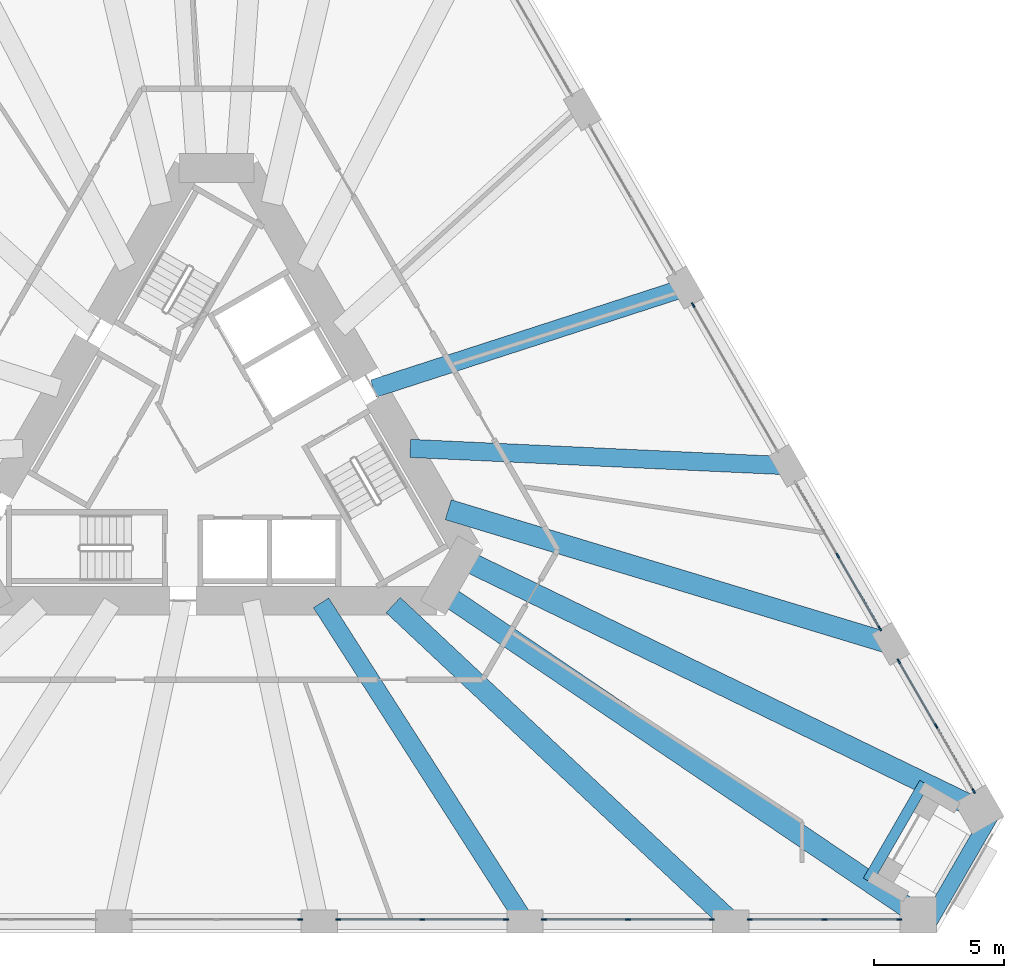
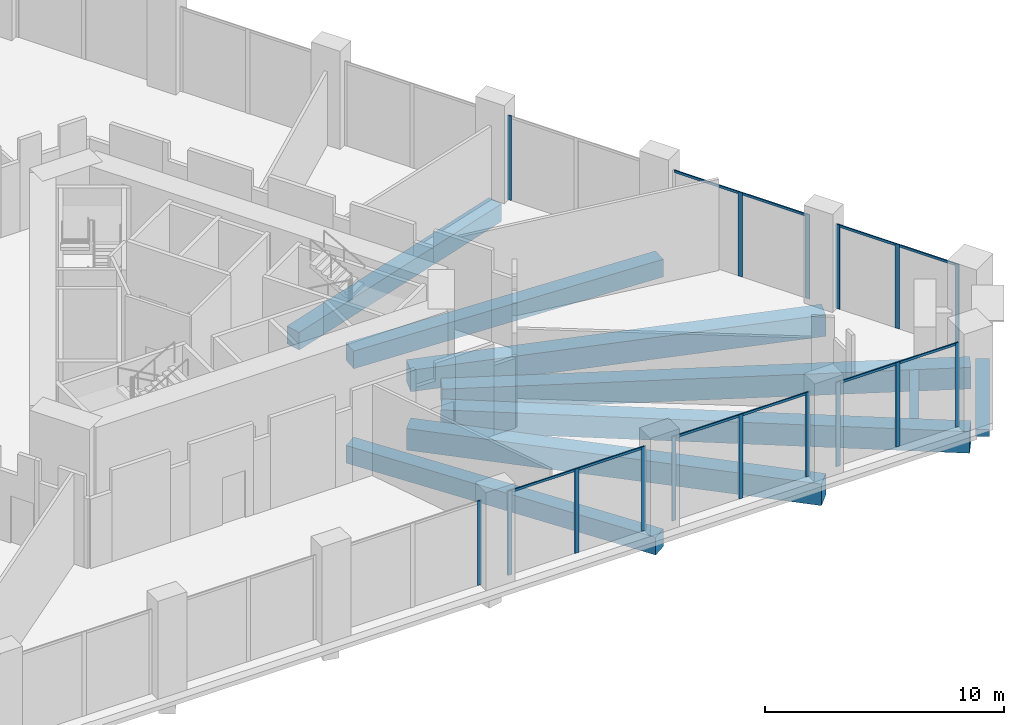
# One storey, part 7 of 20: 26 members, 9 beams, 7 elements without a shape of their own.
"""IFC4 building model written with IfcOpenShell, lengths in metres."""

from ifc_helpers import new_model, si_unit, direction, frame, origin, origin_2d, place, context, subcontext, project, spatial, rectangle, extrude, material, layer, layer_set, material_profile, profile_set, type_object, element, aggregate, save


model = new_model("IFC4")

# Units and contexts
model_context = context("Model", 3, precision=1e-05, world=origin(), true_north=direction((0.0, 1.0)))
body_context = subcontext(model_context, "Body", "Model", "MODEL_VIEW")
ifc_project = project(units=[si_unit("LENGTHUNIT", "METRE"), si_unit("AREAUNIT", "SQUARE_METRE"), si_unit("VOLUMEUNIT", "CUBIC_METRE"), si_unit("PLANEANGLEUNIT", "RADIAN"), si_unit("MASSUNIT", "GRAM", prefix="KILO")], contexts=[model_context])

# Site, building, storey
site_placement = place(None, origin())
site = spatial("IfcSite", under=ifc_project, at=site_placement, CompositionType="ELEMENT")
building_placement = place(site_placement, origin())
building = spatial("IfcBuilding", under=site, at=building_placement, Name="Tramontana Tower", CompositionType="ELEMENT")
storey_placement = place(building_placement, frame((0.0, 0.0, 10.0)))
storey = spatial("IfcBuildingStorey", under=building, at=storey_placement, Name="L01", CompositionType="ELEMENT", Elevation=10.0)

# Curtain wall, member
ifc_material_1 = material(Name="Aluminum extrusion", Category="aluminium")
ifc_layer = layer(ifc_material_1, 0.14990234375)
ifc_layer_set = layer_set([ifc_layer], Name="CW2 Podium amenity curtain wall")
curtain_wall_type = type_object("IfcCurtainWallType", Name="CW2 Podium amenity curtain wall", PredefinedType="NOTDEFINED", material=ifc_layer_set)
curtain_wall_1_placement = place(storey_placement, origin())
curtain_wall_1 = element("IfcCurtainWall", 1, at=curtain_wall_1_placement, inside=storey, type_object=curtain_wall_type, Name="CW2 curtain wall L01 face 1 bay 4", PredefinedType="NOTDEFINED")
ifc_material_2 = material(Name="Aluminum extrusion", Category="aluminium")
ifc_material_profile_1 = material_profile(ifc_material_2, rectangle(XDim=0.06005859375, YDim=0.199951171875, at=origin_2d()), Name="CW2-M Mullion 60 x 200")
ifc_profile_set_1 = profile_set([ifc_material_profile_1], Name="Aluminum extrusion")
member_type_1 = type_object("IfcMemberType", Name="CW2-M Mullion 60 x 200", PredefinedType="MULLION", material=ifc_profile_set_1)
member_1_placement = place(storey_placement, frame((3.22900390625, -18.47509765625, 0.0), z_axis=(0.0, 0.0, 1.0), x_axis=(0.0, 1.0, 0.0)))
member_1 = element("IfcMember", 2, at=member_1_placement, type_object=member_type_1, Name="CW2 curtain wall L01 face 1 bay 4 mullion 3", PredefinedType="MULLION", context=body_context, shape_type="SweptSolid", body=[
    extrude(rectangle(XDim=0.06005859375, YDim=0.199951171875, at=origin_2d()), origin(), (0.0, 0.0, 1.0), 4.300048828125),
])
aggregate(curtain_wall_1, [member_1])

# Curtain wall, members
curtain_wall_2_placement = place(storey_placement, origin())
curtain_wall_2 = element("IfcCurtainWall", 3, at=curtain_wall_2_placement, inside=storey, type_object=curtain_wall_type, Name="CW2 curtain wall L01 face 1 bay 5", PredefinedType="NOTDEFINED")
member_2_placement = place(storey_placement, frame((4.68896484375, -18.47509765625, 0.0), z_axis=(0.0, 0.0, 1.0), x_axis=(0.0, 1.0, 0.0)))
member_2 = element("IfcMember", 4, at=member_2_placement, type_object=member_type_1, Name="CW2 curtain wall L01 face 1 bay 5 mullion 1", PredefinedType="MULLION", context=body_context, shape_type="SweptSolid", body=[
    extrude(rectangle(XDim=0.06005859375, YDim=0.199951171875, at=origin_2d()), origin(), (0.0, 0.0, 1.0), 4.300048828125),
])
member_3_placement = place(storey_placement, frame((7.91796875, -18.47509765625, 0.0), z_axis=(0.0, 0.0, 1.0), x_axis=(0.0, 1.0, 0.0)))
member_3 = element("IfcMember", 5, at=member_3_placement, type_object=member_type_1, Name="CW2 curtain wall L01 face 1 bay 5 mullion 2", PredefinedType="MULLION", context=body_context, shape_type="SweptSolid", body=[
    extrude(rectangle(XDim=0.06005859375, YDim=0.199951171875, at=origin_2d()), origin(), (0.0, 0.0, 1.0), 4.300048828125),
])
member_4_placement = place(storey_placement, frame((11.14697265625, -18.47509765625, 0.0), z_axis=(0.0, 0.0, 1.0), x_axis=(0.0, 1.0, 0.0)))
member_4 = element("IfcMember", 6, at=member_4_placement, type_object=member_type_1, Name="CW2 curtain wall L01 face 1 bay 5 mullion 3", PredefinedType="MULLION", context=body_context, shape_type="SweptSolid", body=[
    extrude(rectangle(XDim=0.06005859375, YDim=0.199951171875, at=origin_2d()), origin(), (0.0, 0.0, 1.0), 4.300048828125),
])

curtain_wall_3_placement = place(storey_placement, origin())
curtain_wall_3 = element("IfcCurtainWall", 7, at=curtain_wall_3_placement, inside=storey, type_object=curtain_wall_type, Name="CW2 curtain wall L01 face 1 bay 6", PredefinedType="NOTDEFINED")
member_5_placement = place(storey_placement, frame((12.60693359375, -18.47509765625, 0.0), z_axis=(0.0, 0.0, 1.0), x_axis=(0.0, 1.0, 0.0)))
member_5 = element("IfcMember", 8, at=member_5_placement, type_object=member_type_1, Name="CW2 curtain wall L01 face 1 bay 6 mullion 1", PredefinedType="MULLION", context=body_context, shape_type="SweptSolid", body=[
    extrude(rectangle(XDim=0.06005859375, YDim=0.199951171875, at=origin_2d()), origin(), (0.0, 0.0, 1.0), 4.300048828125),
])
member_6_placement = place(storey_placement, frame((15.8359375, -18.47509765625, 0.0), z_axis=(0.0, 0.0, 1.0), x_axis=(0.0, 1.0, 0.0)))
member_6 = element("IfcMember", 9, at=member_6_placement, type_object=member_type_1, Name="CW2 curtain wall L01 face 1 bay 6 mullion 2", PredefinedType="MULLION", context=body_context, shape_type="SweptSolid", body=[
    extrude(rectangle(XDim=0.06005859375, YDim=0.199951171875, at=origin_2d()), origin(), (0.0, 0.0, 1.0), 4.300048828125),
])
member_7_placement = place(storey_placement, frame((19.06494140625, -18.47509765625, 0.0), z_axis=(0.0, 0.0, 1.0), x_axis=(0.0, 1.0, 0.0)))
member_7 = element("IfcMember", 10, at=member_7_placement, type_object=member_type_1, Name="CW2 curtain wall L01 face 1 bay 6 mullion 3", PredefinedType="MULLION", context=body_context, shape_type="SweptSolid", body=[
    extrude(rectangle(XDim=0.06005859375, YDim=0.199951171875, at=origin_2d()), origin(), (0.0, 0.0, 1.0), 4.300048828125),
])

curtain_wall_4_placement = place(storey_placement, origin())
curtain_wall_4 = element("IfcCurtainWall", 11, at=curtain_wall_4_placement, inside=storey, type_object=curtain_wall_type, Name="CW2 curtain wall L01 face 1 bay 7", PredefinedType="NOTDEFINED")
member_8_placement = place(storey_placement, frame((20.52490234375, -18.47509765625, 0.0), z_axis=(0.0, 0.0, 1.0), x_axis=(0.0, 1.0, 0.0)))
member_8 = element("IfcMember", 12, at=member_8_placement, type_object=member_type_1, Name="CW2 curtain wall L01 face 1 bay 7 mullion 1", PredefinedType="MULLION", context=body_context, shape_type="SweptSolid", body=[
    extrude(rectangle(XDim=0.06005859375, YDim=0.199951171875, at=origin_2d()), origin(), (0.0, 0.0, 1.0), 4.300048828125),
])
member_9_placement = place(storey_placement, frame((23.40380859375, -18.47509765625, 0.0), z_axis=(0.0, 0.0, 1.0), x_axis=(0.0, 1.0, 0.0)))
member_9 = element("IfcMember", 13, at=member_9_placement, type_object=member_type_1, Name="CW2 curtain wall L01 face 1 bay 7 mullion 2", PredefinedType="MULLION", context=body_context, shape_type="SweptSolid", body=[
    extrude(rectangle(XDim=0.06005859375, YDim=0.199951171875, at=origin_2d()), origin(), (0.0, 0.0, 1.0), 4.300048828125),
])
member_10_placement = place(storey_placement, frame((26.28271484375, -18.47509765625, 0.0), z_axis=(0.0, 0.0, 1.0), x_axis=(0.0, 1.0, 0.0)))
member_10 = element("IfcMember", 14, at=member_10_placement, type_object=member_type_1, Name="CW2 curtain wall L01 face 1 bay 7 mullion 3", PredefinedType="MULLION", context=body_context, shape_type="SweptSolid", body=[
    extrude(rectangle(XDim=0.06005859375, YDim=0.199951171875, at=origin_2d()), origin(), (0.0, 0.0, 1.0), 4.300048828125),
])

curtain_wall_5_placement = place(storey_placement, origin())
curtain_wall_5 = element("IfcCurtainWall", 15, at=curtain_wall_5_placement, inside=storey, type_object=curtain_wall_type, Name="CW2 curtain wall L01 face 2 bay 1", PredefinedType="NOTDEFINED")
member_11_placement = place(storey_placement, frame((29.14111328125, -13.524169921875, 0.0), z_axis=(0.0, 0.0, 1.0), x_axis=(-0.866025403784, -0.5, 0.0)))
member_11 = element("IfcMember", 16, at=member_11_placement, type_object=member_type_1, Name="CW2 curtain wall L01 face 2 bay 1 mullion 1", PredefinedType="MULLION", context=body_context, shape_type="SweptSolid", body=[
    extrude(rectangle(XDim=0.06005859375, YDim=0.199951171875, at=origin_2d()), origin(), (0.0, 0.0, 1.0), 4.300048828125),
])
member_12_placement = place(storey_placement, frame((27.70166015625, -11.03076171875, 0.0), z_axis=(0.0, 0.0, 1.0), x_axis=(-0.866025403784, -0.5, 0.0)))
member_12 = element("IfcMember", 17, at=member_12_placement, type_object=member_type_1, Name="CW2 curtain wall L01 face 2 bay 1 mullion 2", PredefinedType="MULLION", context=body_context, shape_type="SweptSolid", body=[
    extrude(rectangle(XDim=0.06005859375, YDim=0.199951171875, at=origin_2d()), origin(), (0.0, 0.0, 1.0), 4.300048828125),
])
member_13_placement = place(storey_placement, frame((26.26220703125, -8.53759765625, 0.0), z_axis=(0.0, 0.0, 1.0), x_axis=(-0.866025403784, -0.5, 0.0)))
member_13 = element("IfcMember", 18, at=member_13_placement, type_object=member_type_1, Name="CW2 curtain wall L01 face 2 bay 1 mullion 3", PredefinedType="MULLION", context=body_context, shape_type="SweptSolid", body=[
    extrude(rectangle(XDim=0.06005859375, YDim=0.199951171875, at=origin_2d()), origin(), (0.0, 0.0, 1.0), 4.300048828125),
])

curtain_wall_6_placement = place(storey_placement, origin())
curtain_wall_6 = element("IfcCurtainWall", 19, at=curtain_wall_6_placement, inside=storey, type_object=curtain_wall_type, Name="CW2 curtain wall L01 face 2 bay 2", PredefinedType="NOTDEFINED")
member_14_placement = place(storey_placement, frame((25.5322265625, -7.273193359375, 0.0), z_axis=(0.0, 0.0, 1.0), x_axis=(-0.866025403784, -0.5, 0.0)))
member_14 = element("IfcMember", 20, at=member_14_placement, type_object=member_type_1, Name="CW2 curtain wall L01 face 2 bay 2 mullion 1", PredefinedType="MULLION", context=body_context, shape_type="SweptSolid", body=[
    extrude(rectangle(XDim=0.06005859375, YDim=0.199951171875, at=origin_2d()), origin(), (0.0, 0.0, 1.0), 4.300048828125),
])
member_15_placement = place(storey_placement, frame((23.917724609375, -4.476806640625, 0.0), z_axis=(0.0, 0.0, 1.0), x_axis=(-0.866025403784, -0.5, 0.0)))
member_15 = element("IfcMember", 21, at=member_15_placement, type_object=member_type_1, Name="CW2 curtain wall L01 face 2 bay 2 mullion 2", PredefinedType="MULLION", context=body_context, shape_type="SweptSolid", body=[
    extrude(rectangle(XDim=0.06005859375, YDim=0.199951171875, at=origin_2d()), origin(), (0.0, 0.0, 1.0), 4.300048828125),
])

# Curtain wall, member
curtain_wall_7_placement = place(storey_placement, origin())
curtain_wall_7 = element("IfcCurtainWall", 22, at=curtain_wall_7_placement, inside=storey, type_object=curtain_wall_type, Name="CW2 curtain wall L01 face 2 bay 3", PredefinedType="NOTDEFINED")
member_16_placement = place(storey_placement, frame((18.34423828125, 5.1767578125, 0.0), z_axis=(0.0, 0.0, 1.0), x_axis=(-0.866025403784, -0.5, 0.0)))
member_16 = element("IfcMember", 23, at=member_16_placement, type_object=member_type_1, Name="CW2 curtain wall L01 face 2 bay 3 mullion 3", PredefinedType="MULLION", context=body_context, shape_type="SweptSolid", body=[
    extrude(rectangle(XDim=0.06005859375, YDim=0.199951171875, at=origin_2d()), origin(), (0.0, 0.0, 1.0), 4.300048828125),
])
aggregate(curtain_wall_7, [member_16])

# Member
ifc_material_3 = material(Name="Aluminum extrusion", Category="aluminium")
ifc_material_profile_2 = material_profile(ifc_material_3, rectangle(XDim=0.06005859375, YDim=0.1201171875, at=origin_2d()), Name="CW2-T Transom 60 x 120")
ifc_profile_set_2 = profile_set([ifc_material_profile_2], Name="Aluminum extrusion")
member_type_2 = type_object("IfcMemberType", Name="CW2-T Transom 60 x 120", PredefinedType="USERDEFINED", material=ifc_profile_set_2)
member_17_placement = place(storey_placement, frame((4.718994140625, -18.47509765625, 4.239990234375), z_axis=(1.0, 0.0, 0.0), x_axis=(0.0, 1.0, 0.0)))
member_17 = element("IfcMember", 24, at=member_17_placement, type_object=member_type_2, Name="CW2 curtain wall L01 face 1 bay 5 transom 1.1", ObjectType="TRANSOM", PredefinedType="USERDEFINED", context=body_context, shape_type="SweptSolid", body=[
    extrude(rectangle(XDim=0.06005859375, YDim=0.1201171875, at=origin_2d()), origin(), (0.0, 0.0, 1.0), 3.1689453125),
])

member_18_placement = place(storey_placement, frame((7.947998046875, -18.47509765625, 4.239990234375), z_axis=(1.0, 0.0, 0.0), x_axis=(0.0, 1.0, 0.0)))
member_18 = element("IfcMember", 25, at=member_18_placement, type_object=member_type_2, Name="CW2 curtain wall L01 face 1 bay 5 transom 2.1", ObjectType="TRANSOM", PredefinedType="USERDEFINED", context=body_context, shape_type="SweptSolid", body=[
    extrude(rectangle(XDim=0.06005859375, YDim=0.1201171875, at=origin_2d()), origin(), (0.0, 0.0, 1.0), 3.1689453125),
])

aggregate(curtain_wall_2, [member_2, member_3, member_4, member_17, member_18])

member_19_placement = place(storey_placement, frame((12.636962890625, -18.47509765625, 4.239990234375), z_axis=(1.0, 0.0, 0.0), x_axis=(0.0, 1.0, 0.0)))
member_19 = element("IfcMember", 26, at=member_19_placement, type_object=member_type_2, Name="CW2 curtain wall L01 face 1 bay 6 transom 1.1", ObjectType="TRANSOM", PredefinedType="USERDEFINED", context=body_context, shape_type="SweptSolid", body=[
    extrude(rectangle(XDim=0.06005859375, YDim=0.1201171875, at=origin_2d()), origin(), (0.0, 0.0, 1.0), 3.1689453125),
])

member_20_placement = place(storey_placement, frame((15.865966796875, -18.47509765625, 4.239990234375), z_axis=(1.0, 0.0, 0.0), x_axis=(0.0, 1.0, 0.0)))
member_20 = element("IfcMember", 27, at=member_20_placement, type_object=member_type_2, Name="CW2 curtain wall L01 face 1 bay 6 transom 2.1", ObjectType="TRANSOM", PredefinedType="USERDEFINED", context=body_context, shape_type="SweptSolid", body=[
    extrude(rectangle(XDim=0.06005859375, YDim=0.1201171875, at=origin_2d()), origin(), (0.0, 0.0, 1.0), 3.1689453125),
])

aggregate(curtain_wall_3, [member_5, member_6, member_7, member_19, member_20])

member_21_placement = place(storey_placement, frame((20.554931640625, -18.47509765625, 4.239990234375), z_axis=(1.0, 0.0, 0.0), x_axis=(0.0, 1.0, 0.0)))
member_21 = element("IfcMember", 28, at=member_21_placement, type_object=member_type_2, Name="CW2 curtain wall L01 face 1 bay 7 transom 1.1", ObjectType="TRANSOM", PredefinedType="USERDEFINED", context=body_context, shape_type="SweptSolid", body=[
    extrude(rectangle(XDim=0.06005859375, YDim=0.1201171875, at=origin_2d()), origin(), (0.0, 0.0, 1.0), 2.81884765625),
])

member_22_placement = place(storey_placement, frame((23.433837890625, -18.47509765625, 4.239990234375), z_axis=(1.0, 0.0, 0.0), x_axis=(0.0, 1.0, 0.0)))
member_22 = element("IfcMember", 29, at=member_22_placement, type_object=member_type_2, Name="CW2 curtain wall L01 face 1 bay 7 transom 2.1", ObjectType="TRANSOM", PredefinedType="USERDEFINED", context=body_context, shape_type="SweptSolid", body=[
    extrude(rectangle(XDim=0.06005859375, YDim=0.1201171875, at=origin_2d()), origin(), (0.0, 0.0, 1.0), 2.819091796875),
])

aggregate(curtain_wall_4, [member_8, member_9, member_10, member_21, member_22])

member_23_placement = place(storey_placement, frame((29.126220703125, -13.498046875, 4.239990234375), z_axis=(-0.500004849665, 0.866022603811, 0.0), x_axis=(-0.866022603811, -0.500004849665, 0.0)))
member_23 = element("IfcMember", 30, at=member_23_placement, type_object=member_type_2, Name="CW2 curtain wall L01 face 2 bay 1 transom 1.1", ObjectType="TRANSOM", PredefinedType="USERDEFINED", context=body_context, shape_type="SweptSolid", body=[
    extrude(rectangle(XDim=0.06005859375, YDim=0.1201171875, at=origin_2d()), origin(), (0.0, 0.0, 1.0), 2.81884765625),
])

member_24_placement = place(storey_placement, frame((27.686767578125, -11.0048828125, 4.239990234375), z_axis=(-0.499967348137, 0.866044254525, 0.0), x_axis=(-0.866044254525, -0.499967348137, 0.0)))
member_24 = element("IfcMember", 31, at=member_24_placement, type_object=member_type_2, Name="CW2 curtain wall L01 face 2 bay 1 transom 2.1", ObjectType="TRANSOM", PredefinedType="USERDEFINED", context=body_context, shape_type="SweptSolid", body=[
    extrude(rectangle(XDim=0.06005859375, YDim=0.1201171875, at=origin_2d()), origin(), (0.0, 0.0, 1.0), 2.819091796875),
])

aggregate(curtain_wall_5, [member_11, member_12, member_13, member_23, member_24])

member_25_placement = place(storey_placement, frame((25.517333984375, -7.2470703125, 4.239990234375), z_axis=(-0.500000324964, 0.866025216166, 0.0), x_axis=(-0.866025216166, -0.500000324964, 0.0)))
member_25 = element("IfcMember", 32, at=member_25_placement, type_object=member_type_2, Name="CW2 curtain wall L01 face 2 bay 2 transom 1.1", ObjectType="TRANSOM", PredefinedType="USERDEFINED", context=body_context, shape_type="SweptSolid", body=[
    extrude(rectangle(XDim=0.06005859375, YDim=0.1201171875, at=origin_2d()), origin(), (0.0, 0.0, 1.0), 3.1689453125),
])

member_26_placement = place(storey_placement, frame((23.90283203125, -4.45068359375, 4.239990234375), z_axis=(-0.500000324964, 0.866025216166, 0.0), x_axis=(-0.866025216166, -0.500000324964, 0.0)))
member_26 = element("IfcMember", 33, at=member_26_placement, type_object=member_type_2, Name="CW2 curtain wall L01 face 2 bay 2 transom 2.1", ObjectType="TRANSOM", PredefinedType="USERDEFINED", context=body_context, shape_type="SweptSolid", body=[
    extrude(rectangle(XDim=0.06005859375, YDim=0.1201171875, at=origin_2d()), origin(), (0.0, 0.0, 1.0), 3.1689453125),
])

aggregate(curtain_wall_6, [member_14, member_15, member_25, member_26])

# Beams
ifc_material_4 = material(Name="Concrete 40 MPa", Category="concrete")
ifc_material_profile_3 = material_profile(ifc_material_4, rectangle(XDim=0.60009765625, YDim=0.35009765625, at=origin_2d()), Name="RC EDGE BEAM 600X350 40 MPa")
ifc_profile_set_3 = profile_set([ifc_material_profile_3], Name="Concrete 40 MPa")
beam_type_1 = type_object("IfcBeamType", Name="RC EDGE BEAM 600X350 40 MPa", PredefinedType="SPANDREL", material=ifc_profile_set_3)
beam_1_placement = place(storey_placement, frame((27.322998046875, -18.77490234375, -0.52490234375), z_axis=(0.50000986103, 0.866019710441, 0.0), x_axis=(-0.866019710441, 0.50000986103, 0.0)))
element("IfcBeam", 34, at=beam_1_placement, inside=storey, type_object=beam_type_1, Name="Spandrel beam K2 L01", PredefinedType="SPANDREL", context=body_context, shape_type="SweptSolid", body=[
    extrude(rectangle(XDim=0.60009765625, YDim=0.35009765625, at=origin_2d()), origin(), (0.0, 0.0, 1.0), 5.1962890625),
])
ifc_material_5 = material(Name="Concrete 40 MPa", Category="concrete")
ifc_material_profile_4 = material_profile(ifc_material_5, rectangle(XDim=0.699951171875, YDim=0.89990234375, at=origin_2d()), Name="RC GIRDER 700X900 40 MPa")
ifc_profile_set_4 = profile_set([ifc_material_profile_4], Name="Concrete 40 MPa")
beam_type_2 = type_object("IfcBeamType", Name="RC GIRDER 700X900 40 MPa", PredefinedType="BEAM", material=ifc_profile_set_4)
for number, where, z_axis, x_axis, name in (
    (35, (11.876953125, -18.550048828125, -0.800048828125), (-0.539217827497, 0.84216633423, 0.0), (-0.84216633423, -0.539217827497, 0.0), "Radial girder C0F11 L01"),
    (36, (22.003173828125, -1.0107421875, -0.800048828125), (-0.998946541736, 0.045889070085, 0.0), (-0.045889070085, -0.998946541736, 0.0), "Radial girder C0F14 L01"),
):
    element("IfcBeam", number, at=place(storey_placement, frame(where, z_axis=z_axis, x_axis=x_axis)), inside=storey, type_object=beam_type_2, Name=name, PredefinedType="BEAM", context=body_context, shape_type="SweptSolid", body=[
        extrude(rectangle(XDim=0.699951171875, YDim=0.89990234375, at=origin_2d()), origin(), (0.0, 0.0, 1.0), 14.5615234375),
    ])
beam_2_placement = place(storey_placement, frame((18.044189453125, 5.846435546875, -0.800048828125), z_axis=(-0.951314408854, -0.30822215285, 0.0), x_axis=(0.30822215285, -0.951314408854, 0.0)))
element("IfcBeam", 37, at=beam_2_placement, inside=storey, type_object=beam_type_2, Name="Radial girder C0F15 L01", PredefinedType="BEAM", context=body_context, shape_type="SweptSolid", body=[
    extrude(rectangle(XDim=0.699951171875, YDim=0.89990234375, at=origin_2d()), origin(), (0.0, 0.0, 1.0), 12.61572265625),
])
ifc_material_6 = material(Name="Concrete 40 MPa", Category="concrete")
ifc_material_profile_5 = material_profile(ifc_material_6, rectangle(XDim=0.800048828125, YDim=1.10009765625, at=origin_2d()), Name="RC GIRDER 800X1100 40 MPa")
ifc_profile_set_5 = profile_set([ifc_material_profile_5], Name="Concrete 40 MPa")
beam_type_3 = type_object("IfcBeamType", Name="RC GIRDER 800X1100 40 MPa", PredefinedType="BEAM", material=ifc_profile_set_5)
beam_3_placement = place(storey_placement, frame((19.794921875, -18.550048828125, -0.89990234375), z_axis=(-0.72967229952, 0.683796998614, 0.0), x_axis=(-0.683796998614, -0.72967229952, 0.0)))
element("IfcBeam", 38, at=beam_3_placement, inside=storey, type_object=beam_type_3, Name="Radial girder C0F12 L01", PredefinedType="BEAM", context=body_context, shape_type="SweptSolid", body=[
    extrude(rectangle(XDim=0.800048828125, YDim=1.10009765625, at=origin_2d()), origin(), (0.0, 0.0, 1.0), 17.806884765625),
])
beam_4_placement = place(storey_placement, frame((27.0126953125, -18.300048828125, -0.89990234375), z_axis=(-0.827898052271, 0.560878609903, 0.0), x_axis=(-0.560878609903, -0.827898052271, 0.0)))
element("IfcBeam", 39, at=beam_4_placement, inside=storey, type_object=beam_type_3, Name="Radial girder C0K4 L01", PredefinedType="BEAM", context=body_context, shape_type="SweptSolid", body=[
    extrude(rectangle(XDim=0.800048828125, YDim=1.10009765625, at=origin_2d()), origin(), (0.0, 0.0, 1.0), 22.1494140625),
])
beam_5_placement = place(storey_placement, frame((29.354736328125, -14.243896484375, -0.89990234375), z_axis=(-0.899679009302, 0.436552036098, 0.0), x_axis=(-0.436552036098, -0.899679009302, 0.0)))
element("IfcBeam", 40, at=beam_5_placement, inside=storey, type_object=beam_type_3, Name="Radial girder C0K5 L01", PredefinedType="BEAM", context=body_context, shape_type="SweptSolid", body=[
    extrude(rectangle(XDim=0.800048828125, YDim=1.10009765625, at=origin_2d()), origin(), (0.0, 0.0, 1.0), 22.149658203125),
])
beam_6_placement = place(storey_placement, frame((25.962158203125, -7.867919921875, -0.89990234375), z_axis=(-0.95701990712, 0.290022236004, 0.0), x_axis=(-0.290022236004, -0.95701990712, 0.0)))
element("IfcBeam", 41, at=beam_6_placement, inside=storey, type_object=beam_type_3, Name="Radial girder C0F13 L01", PredefinedType="BEAM", context=body_context, shape_type="SweptSolid", body=[
    extrude(rectangle(XDim=0.800048828125, YDim=1.10009765625, at=origin_2d()), origin(), (0.0, 0.0, 1.0), 17.806640625),
])
ifc_material_7 = material(Name="Concrete 40 MPa", Category="concrete")
ifc_material_profile_6 = material_profile(ifc_material_7, rectangle(XDim=0.39990234375, YDim=0.5, at=origin_2d()), Name="RC TRIM BEAM 400X500 40 MPa")
ifc_profile_set_6 = profile_set([ifc_material_profile_6], Name="Concrete 40 MPa")
beam_type_4 = type_object("IfcBeamType", Name="RC TRIM BEAM 400X500 40 MPa", PredefinedType="JOIST", material=ifc_profile_set_6)
beam_7_placement = place(storey_placement, frame((25.0673828125, -16.98193359375, -0.60009765625), z_axis=(0.499999616612, 0.866025625133, 0.0), x_axis=(-0.866025625133, 0.499999616612, 0.0)))
element("IfcBeam", 42, at=beam_7_placement, inside=storey, type_object=beam_type_4, Name="Trimmer beam K2 L01", PredefinedType="JOIST", context=body_context, shape_type="SweptSolid", body=[
    extrude(rectangle(XDim=0.39990234375, YDim=0.5, at=origin_2d()), origin(), (0.0, 0.0, 1.0), 4.34619140625),
])

save(model, "model.ifc")
